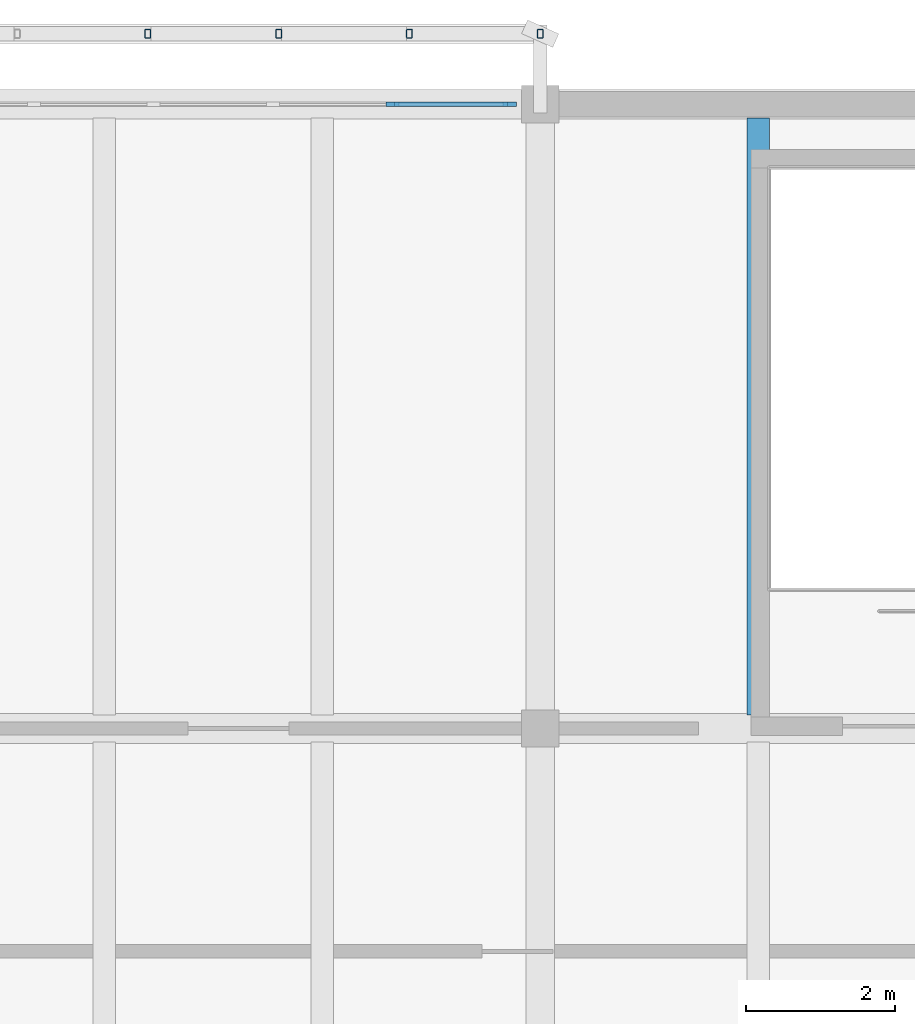
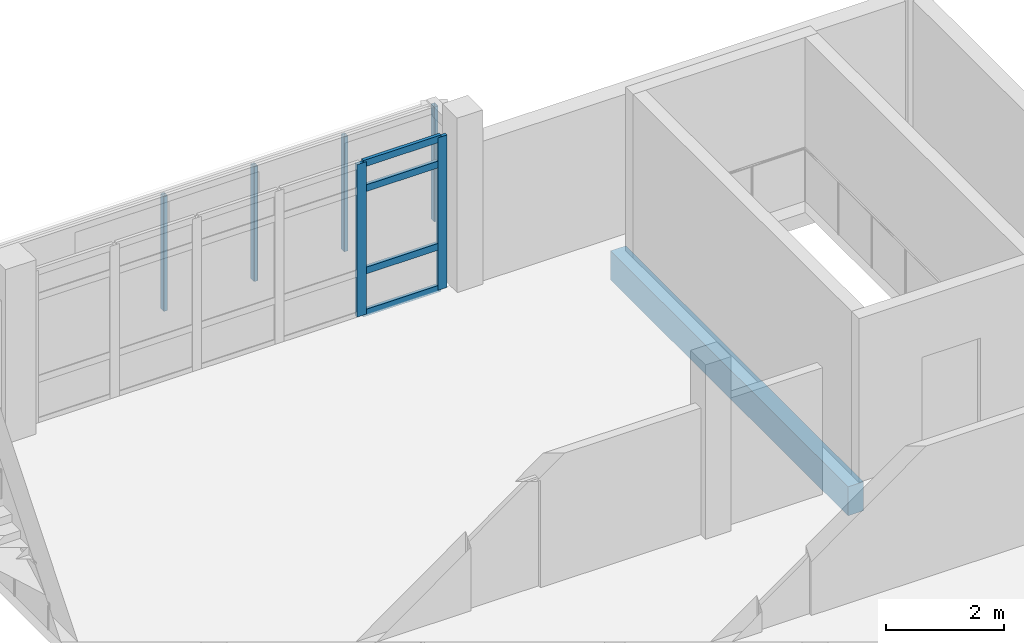
# One storey, part 35 of 50: 10 members, 1 beam, 1 element without a shape of its own.
"""IFC4 building model written with IfcOpenShell, lengths in metres."""

from ifc_helpers import new_model, si_unit, direction, frame, origin, origin_2d, place, context, subcontext, project, spatial, rectangle, hollow_rectangle, extrude, material, material_profile, profile_set, type_object, element, aggregate, save


model = new_model("IFC4")

# Units and contexts
model_context = context("Model", 3, precision=1e-05, world=origin(), true_north=direction((0.0, 1.0)))
body_context = subcontext(model_context, "Body", "Model", "MODEL_VIEW")
ifc_project = project(units=[si_unit("LENGTHUNIT", "METRE"), si_unit("AREAUNIT", "SQUARE_METRE"), si_unit("VOLUMEUNIT", "CUBIC_METRE"), si_unit("PLANEANGLEUNIT", "RADIAN"), si_unit("MASSUNIT", "GRAM", prefix="KILO")], contexts=[model_context])

# Site, building, storey
site_placement = place(None, origin())
site = spatial("IfcSite", under=ifc_project, at=site_placement, CompositionType="ELEMENT")
building_placement = place(site_placement, origin())
building = spatial("IfcBuilding", under=site, at=building_placement, Name="Cinderway Yard Community Centre", CompositionType="ELEMENT")
storey_placement = place(building_placement, frame((0.0, 0.0, 12.89990234375)))
storey = spatial("IfcBuildingStorey", under=building, at=storey_placement, Name="L03", CompositionType="ELEMENT", Elevation=12.89990234375)

# Curtain wall, members
ifc_material_1 = material(Name="Aluminium 6063-T6", Category="aluminium")
curtain_wall_type = type_object("IfcCurtainWallType", Name="ENV-CW-TYPE-33", PredefinedType="USERDEFINED", material=ifc_material_1)
curtain_wall_placement = place(storey_placement, origin())
curtain_wall = element("IfcCurtainWall", 1, at=curtain_wall_placement, inside=storey, type_object=curtain_wall_type, Name="V4 Street Curtain Wall ENV-CW-L03-HS-0171", ObjectType="GLAZED CURTAIN WALL", PredefinedType="USERDEFINED")
ifc_material_profile_1 = material_profile(ifc_material_1, rectangle(XDim=0.06494140625, YDim=0.179931640625, at=origin_2d()), Name="Aluminium 6063-T6")
ifc_profile_set_1 = profile_set([ifc_material_profile_1], Name="Aluminium 6063-T6")
member_type_1 = type_object("IfcMemberType", Name="ENV-CW-MULL-180", PredefinedType="MULLION", material=ifc_profile_set_1)
member_1_placement = place(storey_placement, frame((126.011962890625, 115.199951171875, 0.0), z_axis=(0.0, 0.0, 1.0), x_axis=(0.0, 1.0, 0.0)))
member_1 = element("IfcMember", 2, at=member_1_placement, type_object=member_type_1, Name="CW-33 mullion 5", PredefinedType="MULLION", context=body_context, shape_type="SweptSolid", body=[
    extrude(rectangle(XDim=0.06494140625, YDim=0.179931640625, at=origin_2d()), origin(), (0.0, 0.0, 1.0), 3.150146484375),
])
member_2_placement = place(storey_placement, frame((127.590087890625, 115.199951171875, 0.0), z_axis=(0.0, 0.0, 1.0), x_axis=(0.0, 1.0, 0.0)))
member_2 = element("IfcMember", 3, at=member_2_placement, type_object=member_type_1, Name="CW-33 mullion 6", PredefinedType="MULLION", context=body_context, shape_type="SweptSolid", body=[
    extrude(rectangle(XDim=0.06494140625, YDim=0.179931640625, at=origin_2d()), origin(), (0.0, 0.0, 1.0), 3.150146484375),
])
ifc_material_profile_2 = material_profile(ifc_material_1, rectangle(XDim=0.06494140625, YDim=0.139892578125, at=origin_2d()), Name="Aluminium 6063-T6")
ifc_profile_set_2 = profile_set([ifc_material_profile_2], Name="Aluminium 6063-T6")
member_type_2 = type_object("IfcMemberType", Name="ENV-CW-TRAN-140", PredefinedType="USERDEFINED", material=ifc_profile_set_2)
member_3_placement = place(storey_placement, frame((126.0419921875, 115.199951171875, 0.030029296875), z_axis=(1.0, 0.0, 0.0), x_axis=(0.0, 1.0, 0.0)))
member_3 = element("IfcMember", 4, at=member_3_placement, type_object=member_type_2, Name="CW-33 transom 5.1", ObjectType="TRANSOM", PredefinedType="USERDEFINED", context=body_context, shape_type="SweptSolid", body=[
    extrude(rectangle(XDim=0.06494140625, YDim=0.139892578125, at=origin_2d()), origin(), (0.0, 0.0, 1.0), 1.51806640625),
])
member_4_placement = place(storey_placement, frame((126.0419921875, 115.199951171875, 0.900146484375), z_axis=(1.0, 0.0, 0.0), x_axis=(0.0, 1.0, 0.0)))
member_4 = element("IfcMember", 5, at=member_4_placement, type_object=member_type_2, Name="CW-33 transom 5.2", ObjectType="TRANSOM", PredefinedType="USERDEFINED", context=body_context, shape_type="SweptSolid", body=[
    extrude(rectangle(XDim=0.06494140625, YDim=0.139892578125, at=origin_2d()), origin(), (0.0, 0.0, 1.0), 1.51806640625),
])
member_5_placement = place(storey_placement, frame((126.0419921875, 115.199951171875, 2.60009765625), z_axis=(1.0, 0.0, 0.0), x_axis=(0.0, 1.0, 0.0)))
member_5 = element("IfcMember", 6, at=member_5_placement, type_object=member_type_2, Name="CW-33 transom 5.3", ObjectType="TRANSOM", PredefinedType="USERDEFINED", context=body_context, shape_type="SweptSolid", body=[
    extrude(rectangle(XDim=0.06494140625, YDim=0.139892578125, at=origin_2d()), origin(), (0.0, 0.0, 1.0), 1.51806640625),
])
member_6_placement = place(storey_placement, frame((126.0419921875, 115.199951171875, 3.1201171875), z_axis=(1.0, 0.0, 0.0), x_axis=(0.0, 1.0, 0.0)))
member_6 = element("IfcMember", 7, at=member_6_placement, type_object=member_type_2, Name="CW-33 transom 5.4", ObjectType="TRANSOM", PredefinedType="USERDEFINED", context=body_context, shape_type="SweptSolid", body=[
    extrude(rectangle(XDim=0.06494140625, YDim=0.139892578125, at=origin_2d()), origin(), (0.0, 0.0, 1.0), 1.51806640625),
])
aggregate(curtain_wall, [member_1, member_2, member_3, member_4, member_5, member_6])

# Members
ifc_material_2 = material(Name="Steel S355", Category="steel")
ifc_material_profile_3 = material_profile(ifc_material_2, hollow_rectangle(XDim=0.080078125, YDim=0.1201171875, WallThickness=0.00634765625, InnerFilletRadius=0.00634765625, OuterFilletRadius=0.0126953125, at=origin_2d()), Name="Steel S355")
ifc_profile_set_3 = profile_set([ifc_material_profile_3], Name="Steel S355")
member_type_3 = type_object("IfcMemberType", Name="ENV-MEM-SCREEN-RAIL-120", PredefinedType="STRINGER", material=ifc_profile_set_3)
for number, where, z_axis, x_axis, name in (
    (8, (122.719970703125, 116.14990234375, 0.690185546875), (0.0, 0.0, 1.0), (1.0, 0.0, 0.0), "Screen vertical mullion 0255"),
    (9, (124.47998046875, 116.14990234375, 0.690185546875), (0.0, 0.0, 1.0), (1.0, 0.0, 0.0), "Screen vertical mullion 0256"),
    (10, (126.239990234375, 116.14990234375, 0.690185546875), (0.0, 0.0, 1.0), (1.0, 0.0, 0.0), "Screen vertical mullion 0257"),
    (11, (128.0, 116.14990234375, 0.690185546875), (0.0, 0.0, 1.0), (1.0, 0.0, 0.0), "Screen vertical mullion 0258"),
):
    element("IfcMember", number, at=place(storey_placement, frame(where, z_axis=z_axis, x_axis=x_axis)), inside=storey, type_object=member_type_3, Name=name, PredefinedType="STRINGER", context=body_context, shape_type="SweptSolid", body=[
        extrude(hollow_rectangle(XDim=0.080078125, YDim=0.1201171875, WallThickness=0.00634765625, InnerFilletRadius=0.00634765625, OuterFilletRadius=0.0126953125, at=origin_2d()), origin(), (0.0, 0.0, 1.0), 2.369873046875),
    ])

# Beam
ifc_material_3 = material(Name="Concrete C35/45", Category="concrete")
ifc_material_profile_4 = material_profile(ifc_material_3, rectangle(XDim=0.300048828125, YDim=0.60009765625, at=origin_2d()), Name="Concrete C35/45")
ifc_profile_set_4 = profile_set([ifc_material_profile_4], Name="Concrete C35/45")
beam_type = type_object("IfcBeamType", Name="STR-BM-RC300X600", PredefinedType="JOIST", material=ifc_profile_set_4)
beam_placement = place(storey_placement, frame((130.93310546875, 106.98193359375, -0.539794921875), z_axis=(0.0, 1.0, 0.0), x_axis=(-1.0, 0.0, 0.0)))
element("IfcBeam", 12, at=beam_placement, inside=storey, type_object=beam_type, Name="Secondary joist STR-BM-L03-BJ02-0809", PredefinedType="JOIST", context=body_context, shape_type="SweptSolid", body=[
    extrude(rectangle(XDim=0.300048828125, YDim=0.60009765625, at=origin_2d()), origin(), (0.0, 0.0, 1.0), 8.0361328125),
])

save(model, "model.ifc")
